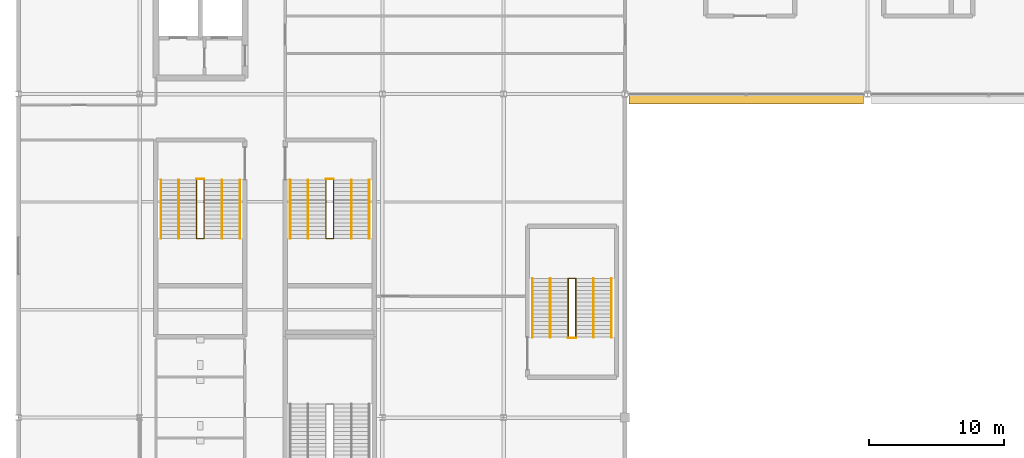
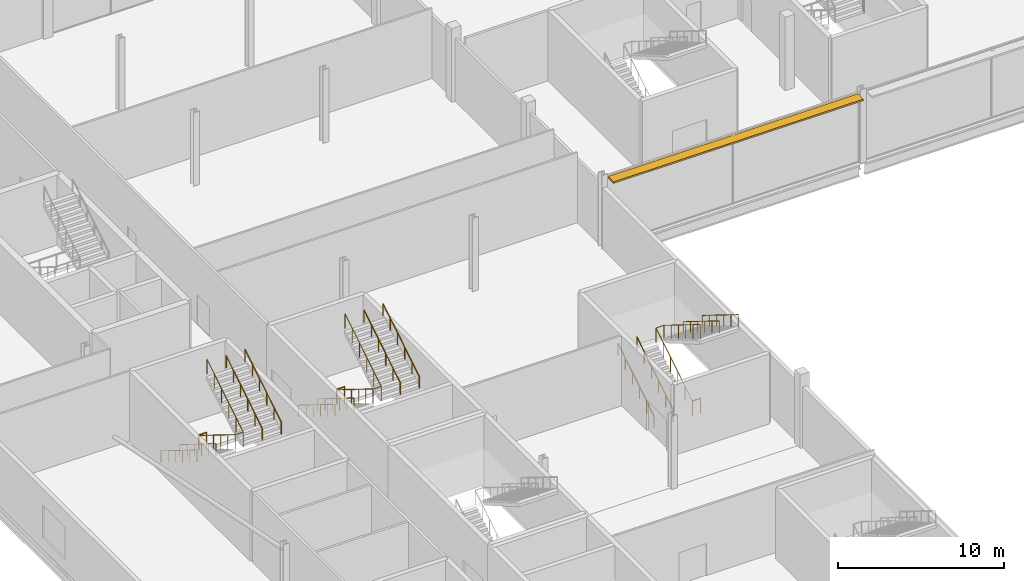
# One storey, part 101 of 111: 18 railings, 1 shading device.
"""IFC4 building model written with IfcOpenShell, lengths in metres."""

from ifc_helpers import new_model, si_unit, direction, frame, origin, origin_2d, place, context, subcontext, project, spatial, rectangle, circle, extrude, material, type_object, element, save


model = new_model("IFC4")

# Units and contexts
model_context = context("Model", 3, precision=1e-05, world=origin(), true_north=direction((0.0, 1.0)))
body_context = subcontext(model_context, "Body", "Model", "MODEL_VIEW")
ifc_project = project(units=[si_unit("LENGTHUNIT", "METRE"), si_unit("AREAUNIT", "SQUARE_METRE"), si_unit("VOLUMEUNIT", "CUBIC_METRE"), si_unit("PLANEANGLEUNIT", "RADIAN"), si_unit("MASSUNIT", "GRAM", prefix="KILO")], contexts=[model_context])

# Site, building, storey
site_placement = place(None, origin())
site = spatial("IfcSite", under=ifc_project, at=site_placement, CompositionType="ELEMENT")
building_placement = place(site_placement, origin())
building = spatial("IfcBuilding", under=site, at=building_placement, Name="Kisiwana Market Hall", CompositionType="ELEMENT")
storey_placement = place(building_placement, frame((0.0, 0.0, 11.39990234375)))
storey = spatial("IfcBuildingStorey", under=building, at=storey_placement, Name="L02", CompositionType="ELEMENT", Elevation=11.39990234375)

# Railings
ifc_material_1 = material(Name="Steel S275", Category="steel")
railing_type_1 = type_object("IfcRailingType", Name="RL-GUARD-1100", PredefinedType="GUARDRAIL", material=ifc_material_1)
railing_1_placement = place(storey_placement, frame((13.219970703125, 77.639892578125, 0.0)))
element("IfcRailing", 1, at=railing_1_placement, inside=storey, type_object=railing_type_1, Name="Stair ST-W4-L02 inner-well guardrail (RL-513)", PredefinedType="GUARDRAIL", context=body_context, shape_type="SweptSolid", body=[
    extrude(circle(Radius=0.02392578125, at=origin_2d()), frame((0.0, 0.0, 1.076171875), z_axis=(0.0, -0.849615114927, 0.52740322002), x_axis=(1.0, 0.0, 0.0)), (0.0, 0.0, 1.0), 5.119873046875),
    extrude(circle(Radius=0.02392578125, at=origin_2d()), frame((0.0, -4.349853515625, 3.7763671875), z_axis=(1.0, 0.0, 0.0), x_axis=(0.0, 1.0, 0.0)), (0.0, 0.0, 1.0), 0.56005859375),
    extrude(circle(Radius=0.02392578125, at=origin_2d()), frame((0.56005859375, -4.349853515625, 3.7763671875), z_axis=(0.0, 0.849636482215, 0.527368797038), x_axis=(-1.0, 0.0, 0.0)), (0.0, 0.0, 1.0), 5.11962890625),
    extrude(circle(Radius=0.02099609375, at=origin_2d()), origin(), (0.0, 0.0, 1.0), 1.052001953125),
    extrude(circle(Radius=0.02099609375, at=origin_2d()), frame((0.0, -0.869873046875, 0.5400390625)), (0.0, 0.0, 1.0), 1.052001953125),
    extrude(circle(Radius=0.02099609375, at=origin_2d()), frame((0.0, -1.739990234375, 1.080078125)), (0.0, 0.0, 1.0), 1.052001953125),
    extrude(circle(Radius=0.02099609375, at=origin_2d()), frame((0.0, -2.60986328125, 1.6201171875)), (0.0, 0.0, 1.0), 1.052001953125),
    extrude(circle(Radius=0.02099609375, at=origin_2d()), frame((0.0, -3.47998046875, 2.16015625)), (0.0, 0.0, 1.0), 1.052001953125),
    extrude(circle(Radius=0.02099609375, at=origin_2d()), frame((0.0, -4.349853515625, 2.7001953125)), (0.0, 0.0, 1.0), 1.052001953125),
    extrude(circle(Radius=0.02099609375, at=origin_2d()), frame((0.56005859375, -4.349853515625, 2.7001953125)), (0.0, 0.0, 1.0), 1.052001953125),
    extrude(circle(Radius=0.02099609375, at=origin_2d()), frame((0.56005859375, -3.47998046875, 3.240234375)), (0.0, 0.0, 1.0), 1.052001953125),
    extrude(circle(Radius=0.02099609375, at=origin_2d()), frame((0.56005859375, -2.60986328125, 3.7802734375)), (0.0, 0.0, 1.0), 1.052001953125),
    extrude(circle(Radius=0.02099609375, at=origin_2d()), frame((0.56005859375, -1.739990234375, 4.320068359375)), (0.0, 0.0, 1.0), 1.052001953125),
    extrude(circle(Radius=0.02099609375, at=origin_2d()), frame((0.56005859375, -0.869873046875, 4.860107421875)), (0.0, 0.0, 1.0), 1.052001953125),
    extrude(circle(Radius=0.02099609375, at=origin_2d()), frame((0.56005859375, 0.0, 5.400146484375)), (0.0, 0.0, 1.0), 1.052001953125),
])
railing_2_placement = place(storey_placement, frame((13.219970703125, 77.68994140625, 0.0)))
element("IfcRailing", 2, at=railing_2_placement, inside=storey, type_object=railing_type_1, Name="Stair ST-W4-L02 landing edge guardrail (RL-518)", PredefinedType="GUARDRAIL", context=body_context, shape_type="SweptSolid", body=[
    extrude(circle(Radius=0.02392578125, at=origin_2d()), frame((0.0, 0.0, 1.076171875), z_axis=(1.0, 0.0, 0.0), x_axis=(0.0, 1.0, 0.0)), (0.0, 0.0, 1.0), 0.56005859375),
    extrude(circle(Radius=0.02099609375, at=origin_2d()), origin(), (0.0, 0.0, 1.0), 1.052001953125),
    extrude(circle(Radius=0.02099609375, at=origin_2d()), frame((0.56005859375, 0.0, 0.0)), (0.0, 0.0, 1.0), 1.052001953125),
])
railing_3_placement = place(storey_placement, frame((22.820068359375, 77.639892578125, 0.0)))
element("IfcRailing", 3, at=railing_3_placement, inside=storey, type_object=railing_type_1, Name="Stair ST-W8-L02 inner-well guardrail (RL-543)", PredefinedType="GUARDRAIL", context=body_context, shape_type="SweptSolid", body=[
    extrude(circle(Radius=0.02392578125, at=origin_2d()), frame((0.0, 0.0, 1.076171875), z_axis=(0.0, -0.849615114927, 0.52740322002), x_axis=(1.0, 0.0, 0.0)), (0.0, 0.0, 1.0), 5.119873046875),
    extrude(circle(Radius=0.02392578125, at=origin_2d()), frame((0.0, -4.349853515625, 3.7763671875), z_axis=(1.0, 0.0, 0.0), x_axis=(0.0, 1.0, 0.0)), (0.0, 0.0, 1.0), 0.559814453125),
    extrude(circle(Radius=0.02392578125, at=origin_2d()), frame((0.559814453125, -4.349853515625, 3.7763671875), z_axis=(0.0, 0.849636482215, 0.527368797038), x_axis=(-1.0, 0.0, 0.0)), (0.0, 0.0, 1.0), 5.11962890625),
    extrude(circle(Radius=0.02099609375, at=origin_2d()), origin(), (0.0, 0.0, 1.0), 1.052001953125),
    extrude(circle(Radius=0.02099609375, at=origin_2d()), frame((0.0, -0.869873046875, 0.5400390625)), (0.0, 0.0, 1.0), 1.052001953125),
    extrude(circle(Radius=0.02099609375, at=origin_2d()), frame((0.0, -1.739990234375, 1.080078125)), (0.0, 0.0, 1.0), 1.052001953125),
    extrude(circle(Radius=0.02099609375, at=origin_2d()), frame((0.0, -2.60986328125, 1.6201171875)), (0.0, 0.0, 1.0), 1.052001953125),
    extrude(circle(Radius=0.02099609375, at=origin_2d()), frame((0.0, -3.47998046875, 2.16015625)), (0.0, 0.0, 1.0), 1.052001953125),
    extrude(circle(Radius=0.02099609375, at=origin_2d()), frame((0.0, -4.349853515625, 2.7001953125)), (0.0, 0.0, 1.0), 1.052001953125),
    extrude(circle(Radius=0.02099609375, at=origin_2d()), frame((0.559814453125, -4.349853515625, 2.7001953125)), (0.0, 0.0, 1.0), 1.052001953125),
    extrude(circle(Radius=0.02099609375, at=origin_2d()), frame((0.559814453125, -3.47998046875, 3.240234375)), (0.0, 0.0, 1.0), 1.052001953125),
    extrude(circle(Radius=0.02099609375, at=origin_2d()), frame((0.559814453125, -2.60986328125, 3.7802734375)), (0.0, 0.0, 1.0), 1.052001953125),
    extrude(circle(Radius=0.02099609375, at=origin_2d()), frame((0.559814453125, -1.739990234375, 4.320068359375)), (0.0, 0.0, 1.0), 1.052001953125),
    extrude(circle(Radius=0.02099609375, at=origin_2d()), frame((0.559814453125, -0.869873046875, 4.860107421875)), (0.0, 0.0, 1.0), 1.052001953125),
    extrude(circle(Radius=0.02099609375, at=origin_2d()), frame((0.559814453125, 0.0, 5.400146484375)), (0.0, 0.0, 1.0), 1.052001953125),
])
railing_4_placement = place(storey_placement, frame((22.820068359375, 77.68994140625, 0.0)))
element("IfcRailing", 4, at=railing_4_placement, inside=storey, type_object=railing_type_1, Name="Stair ST-W8-L02 landing edge guardrail (RL-548)", PredefinedType="GUARDRAIL", context=body_context, shape_type="SweptSolid", body=[
    extrude(circle(Radius=0.02392578125, at=origin_2d()), frame((0.0, 0.0, 1.076171875), z_axis=(1.0, 0.0, 0.0), x_axis=(0.0, 1.0, 0.0)), (0.0, 0.0, 1.0), 0.559814453125),
    extrude(circle(Radius=0.02099609375, at=origin_2d()), origin(), (0.0, 0.0, 1.0), 1.052001953125),
    extrude(circle(Radius=0.02099609375, at=origin_2d()), frame((0.559814453125, 0.0, 0.0)), (0.0, 0.0, 1.0), 1.052001953125),
])
railing_5_placement = place(storey_placement, frame((40.7900390625, 65.9599609375, 0.0)))
element("IfcRailing", 5, at=railing_5_placement, inside=storey, type_object=railing_type_1, Name="Stair ST-W10-L02 inner-well guardrail (RL-567)", PredefinedType="GUARDRAIL", context=body_context, shape_type="SweptSolid", body=[
    extrude(circle(Radius=0.02392578125, at=origin_2d()), frame((0.0, 0.0, 1.076171875), z_axis=(0.0, 0.849628378081, 0.527381853271), x_axis=(-1.0, 0.0, 0.0)), (0.0, 0.0, 1.0), 5.1201171875),
    extrude(circle(Radius=0.02392578125, at=origin_2d()), frame((0.0, 4.35009765625, 3.7763671875), z_axis=(1.0, 0.0, 0.0), x_axis=(0.0, 1.0, 0.0)), (0.0, 0.0, 1.0), 0.56005859375),
    extrude(circle(Radius=0.02392578125, at=origin_2d()), frame((0.56005859375, 4.35009765625, 3.7763671875), z_axis=(0.0, -0.849649743971, 0.527347430608), x_axis=(1.0, 0.0, 0.0)), (0.0, 0.0, 1.0), 5.119873046875),
    extrude(circle(Radius=0.02099609375, at=origin_2d()), origin(), (0.0, 0.0, 1.0), 1.052001953125),
    extrude(circle(Radius=0.02099609375, at=origin_2d()), frame((0.0, 0.8701171875, 0.5400390625)), (0.0, 0.0, 1.0), 1.052001953125),
    extrude(circle(Radius=0.02099609375, at=origin_2d()), frame((0.0, 1.739990234375, 1.080078125)), (0.0, 0.0, 1.0), 1.052001953125),
    extrude(circle(Radius=0.02099609375, at=origin_2d()), frame((0.0, 2.610107421875, 1.6201171875)), (0.0, 0.0, 1.0), 1.052001953125),
    extrude(circle(Radius=0.02099609375, at=origin_2d()), frame((0.0, 3.47998046875, 2.16015625)), (0.0, 0.0, 1.0), 1.052001953125),
    extrude(circle(Radius=0.02099609375, at=origin_2d()), frame((0.0, 4.35009765625, 2.7001953125)), (0.0, 0.0, 1.0), 1.052001953125),
    extrude(circle(Radius=0.02099609375, at=origin_2d()), frame((0.56005859375, 4.35009765625, 2.7001953125)), (0.0, 0.0, 1.0), 1.052001953125),
    extrude(circle(Radius=0.02099609375, at=origin_2d()), frame((0.56005859375, 3.47998046875, 3.240234375)), (0.0, 0.0, 1.0), 1.052001953125),
    extrude(circle(Radius=0.02099609375, at=origin_2d()), frame((0.56005859375, 2.610107421875, 3.7802734375)), (0.0, 0.0, 1.0), 1.052001953125),
    extrude(circle(Radius=0.02099609375, at=origin_2d()), frame((0.56005859375, 1.739990234375, 4.320068359375)), (0.0, 0.0, 1.0), 1.052001953125),
    extrude(circle(Radius=0.02099609375, at=origin_2d()), frame((0.56005859375, 0.8701171875, 4.860107421875)), (0.0, 0.0, 1.0), 1.052001953125),
    extrude(circle(Radius=0.02099609375, at=origin_2d()), frame((0.56005859375, 0.0, 5.400146484375)), (0.0, 0.0, 1.0), 1.052001953125),
])
railing_6_placement = place(storey_placement, frame((40.7900390625, 65.909912109375, 0.0)))
element("IfcRailing", 6, at=railing_6_placement, inside=storey, type_object=railing_type_1, Name="Stair ST-W10-L02 landing edge guardrail (RL-572)", PredefinedType="GUARDRAIL", context=body_context, shape_type="SweptSolid", body=[
    extrude(circle(Radius=0.02392578125, at=origin_2d()), frame((0.0, 0.0, 1.076171875), z_axis=(1.0, 0.0, 0.0), x_axis=(0.0, 1.0, 0.0)), (0.0, 0.0, 1.0), 0.56005859375),
    extrude(circle(Radius=0.02099609375, at=origin_2d()), origin(), (0.0, 0.0, 1.0), 1.052001953125),
    extrude(circle(Radius=0.02099609375, at=origin_2d()), frame((0.56005859375, 0.0, 0.0)), (0.0, 0.0, 1.0), 1.052001953125),
])
ifc_material_2 = material(Name="Steel S275", Category="steel")
railing_type_2 = type_object("IfcRailingType", Name="RL-HAND-900", PredefinedType="HANDRAIL", material=ifc_material_2)
railing_7_placement = place(storey_placement, frame((10.570068359375, 77.639892578125, 0.0)))
element("IfcRailing", 7, at=railing_7_placement, inside=storey, type_object=railing_type_2, Name="Stair ST-W4-L02 flight 1 handrail (RL-514)", PredefinedType="HANDRAIL", context=body_context, shape_type="SweptSolid", body=[
    extrude(circle(Radius=0.02392578125, at=origin_2d()), frame((0.0, 0.0, 0.8759765625), z_axis=(0.0, -0.849615114927, 0.52740322002), x_axis=(1.0, 0.0, 0.0)), (0.0, 0.0, 1.0), 5.119873046875),
    extrude(circle(Radius=0.02099609375, at=origin_2d()), origin(), (0.0, 0.0, 1.0), 0.851806640625),
    extrude(circle(Radius=0.02099609375, at=origin_2d()), frame((0.0, -0.869873046875, 0.5400390625)), (0.0, 0.0, 1.0), 0.851806640625),
    extrude(circle(Radius=0.02099609375, at=origin_2d()), frame((0.0, -1.739990234375, 1.080078125)), (0.0, 0.0, 1.0), 0.851806640625),
    extrude(circle(Radius=0.02099609375, at=origin_2d()), frame((0.0, -2.60986328125, 1.6201171875)), (0.0, 0.0, 1.0), 0.851806640625),
    extrude(circle(Radius=0.02099609375, at=origin_2d()), frame((0.0, -3.47998046875, 2.16015625)), (0.0, 0.0, 1.0), 0.851806640625),
    extrude(circle(Radius=0.02099609375, at=origin_2d()), frame((0.0, -4.349853515625, 2.7001953125)), (0.0, 0.0, 1.0), 0.851806640625),
])
railing_8_placement = place(storey_placement, frame((16.429931640625, 73.2900390625, 2.7001953125)))
element("IfcRailing", 8, at=railing_8_placement, inside=storey, type_object=railing_type_2, Name="Stair ST-W4-L02 flight 2 handrail (RL-515)", PredefinedType="HANDRAIL", context=body_context, shape_type="SweptSolid", body=[
    extrude(circle(Radius=0.02392578125, at=origin_2d()), frame((0.0, 0.0, 0.8759765625), z_axis=(0.0, 0.849636482215, 0.527368797038), x_axis=(-1.0, 0.0, 0.0)), (0.0, 0.0, 1.0), 5.11962890625),
    extrude(circle(Radius=0.02099609375, at=origin_2d()), origin(), (0.0, 0.0, 1.0), 0.851806640625),
    extrude(circle(Radius=0.02099609375, at=origin_2d()), frame((0.0, 0.869873046875, 0.5400390625)), (0.0, 0.0, 1.0), 0.851806640625),
    extrude(circle(Radius=0.02099609375, at=origin_2d()), frame((0.0, 1.739990234375, 1.080078125)), (0.0, 0.0, 1.0), 0.851806640625),
    extrude(circle(Radius=0.02099609375, at=origin_2d()), frame((0.0, 2.60986328125, 1.619873046875)), (0.0, 0.0, 1.0), 0.851806640625),
    extrude(circle(Radius=0.02099609375, at=origin_2d()), frame((0.0, 3.47998046875, 2.159912109375)), (0.0, 0.0, 1.0), 0.851806640625),
    extrude(circle(Radius=0.02099609375, at=origin_2d()), frame((0.0, 4.349853515625, 2.699951171875)), (0.0, 0.0, 1.0), 0.851806640625),
])
railing_9_placement = place(storey_placement, frame((11.889892578125, 77.639892578125, 0.0)))
element("IfcRailing", 9, at=railing_9_placement, inside=storey, type_object=railing_type_2, Name="Stair ST-W4-L02 flight 1 intermediate handrail (RL-516)", PredefinedType="HANDRAIL", context=body_context, shape_type="SweptSolid", body=[
    extrude(circle(Radius=0.02392578125, at=origin_2d()), frame((0.0, 0.0, 0.8759765625), z_axis=(0.0, -0.849615114927, 0.52740322002), x_axis=(1.0, 0.0, 0.0)), (0.0, 0.0, 1.0), 5.119873046875),
    extrude(circle(Radius=0.02099609375, at=origin_2d()), origin(), (0.0, 0.0, 1.0), 0.851806640625),
    extrude(circle(Radius=0.02099609375, at=origin_2d()), frame((0.0, -0.869873046875, 0.5400390625)), (0.0, 0.0, 1.0), 0.851806640625),
    extrude(circle(Radius=0.02099609375, at=origin_2d()), frame((0.0, -1.739990234375, 1.080078125)), (0.0, 0.0, 1.0), 0.851806640625),
    extrude(circle(Radius=0.02099609375, at=origin_2d()), frame((0.0, -2.60986328125, 1.6201171875)), (0.0, 0.0, 1.0), 0.851806640625),
    extrude(circle(Radius=0.02099609375, at=origin_2d()), frame((0.0, -3.47998046875, 2.16015625)), (0.0, 0.0, 1.0), 0.851806640625),
    extrude(circle(Radius=0.02099609375, at=origin_2d()), frame((0.0, -4.349853515625, 2.7001953125)), (0.0, 0.0, 1.0), 0.851806640625),
])
railing_10_placement = place(storey_placement, frame((15.110107421875, 73.2900390625, 2.7001953125)))
element("IfcRailing", 10, at=railing_10_placement, inside=storey, type_object=railing_type_2, Name="Stair ST-W4-L02 flight 2 intermediate handrail (RL-517)", PredefinedType="HANDRAIL", context=body_context, shape_type="SweptSolid", body=[
    extrude(circle(Radius=0.02392578125, at=origin_2d()), frame((0.0, 0.0, 0.8759765625), z_axis=(0.0, 0.849636482215, 0.527368797038), x_axis=(-1.0, 0.0, 0.0)), (0.0, 0.0, 1.0), 5.11962890625),
    extrude(circle(Radius=0.02099609375, at=origin_2d()), origin(), (0.0, 0.0, 1.0), 0.851806640625),
    extrude(circle(Radius=0.02099609375, at=origin_2d()), frame((0.0, 0.869873046875, 0.5400390625)), (0.0, 0.0, 1.0), 0.851806640625),
    extrude(circle(Radius=0.02099609375, at=origin_2d()), frame((0.0, 1.739990234375, 1.080078125)), (0.0, 0.0, 1.0), 0.851806640625),
    extrude(circle(Radius=0.02099609375, at=origin_2d()), frame((0.0, 2.60986328125, 1.619873046875)), (0.0, 0.0, 1.0), 0.851806640625),
    extrude(circle(Radius=0.02099609375, at=origin_2d()), frame((0.0, 3.47998046875, 2.159912109375)), (0.0, 0.0, 1.0), 0.851806640625),
    extrude(circle(Radius=0.02099609375, at=origin_2d()), frame((0.0, 4.349853515625, 2.699951171875)), (0.0, 0.0, 1.0), 0.851806640625),
])
railing_11_placement = place(storey_placement, frame((20.169921875, 77.639892578125, 0.0)))
element("IfcRailing", 11, at=railing_11_placement, inside=storey, type_object=railing_type_2, Name="Stair ST-W8-L02 flight 1 handrail (RL-544)", PredefinedType="HANDRAIL", context=body_context, shape_type="SweptSolid", body=[
    extrude(circle(Radius=0.02392578125, at=origin_2d()), frame((0.0, 0.0, 0.8759765625), z_axis=(0.0, -0.849615114927, 0.52740322002), x_axis=(1.0, 0.0, 0.0)), (0.0, 0.0, 1.0), 5.119873046875),
    extrude(circle(Radius=0.02099609375, at=origin_2d()), origin(), (0.0, 0.0, 1.0), 0.851806640625),
    extrude(circle(Radius=0.02099609375, at=origin_2d()), frame((0.0, -0.869873046875, 0.5400390625)), (0.0, 0.0, 1.0), 0.851806640625),
    extrude(circle(Radius=0.02099609375, at=origin_2d()), frame((0.0, -1.739990234375, 1.080078125)), (0.0, 0.0, 1.0), 0.851806640625),
    extrude(circle(Radius=0.02099609375, at=origin_2d()), frame((0.0, -2.60986328125, 1.6201171875)), (0.0, 0.0, 1.0), 0.851806640625),
    extrude(circle(Radius=0.02099609375, at=origin_2d()), frame((0.0, -3.47998046875, 2.16015625)), (0.0, 0.0, 1.0), 0.851806640625),
    extrude(circle(Radius=0.02099609375, at=origin_2d()), frame((0.0, -4.349853515625, 2.7001953125)), (0.0, 0.0, 1.0), 0.851806640625),
])
railing_12_placement = place(storey_placement, frame((26.030029296875, 73.2900390625, 2.7001953125)))
element("IfcRailing", 12, at=railing_12_placement, inside=storey, type_object=railing_type_2, Name="Stair ST-W8-L02 flight 2 handrail (RL-545)", PredefinedType="HANDRAIL", context=body_context, shape_type="SweptSolid", body=[
    extrude(circle(Radius=0.02392578125, at=origin_2d()), frame((0.0, 0.0, 0.8759765625), z_axis=(0.0, 0.849636482215, 0.527368797038), x_axis=(-1.0, 0.0, 0.0)), (0.0, 0.0, 1.0), 5.11962890625),
    extrude(circle(Radius=0.02099609375, at=origin_2d()), origin(), (0.0, 0.0, 1.0), 0.851806640625),
    extrude(circle(Radius=0.02099609375, at=origin_2d()), frame((0.0, 0.869873046875, 0.5400390625)), (0.0, 0.0, 1.0), 0.851806640625),
    extrude(circle(Radius=0.02099609375, at=origin_2d()), frame((0.0, 1.739990234375, 1.080078125)), (0.0, 0.0, 1.0), 0.851806640625),
    extrude(circle(Radius=0.02099609375, at=origin_2d()), frame((0.0, 2.60986328125, 1.619873046875)), (0.0, 0.0, 1.0), 0.851806640625),
    extrude(circle(Radius=0.02099609375, at=origin_2d()), frame((0.0, 3.47998046875, 2.159912109375)), (0.0, 0.0, 1.0), 0.851806640625),
    extrude(circle(Radius=0.02099609375, at=origin_2d()), frame((0.0, 4.349853515625, 2.699951171875)), (0.0, 0.0, 1.0), 0.851806640625),
])
railing_13_placement = place(storey_placement, frame((21.489990234375, 77.639892578125, 0.0)))
element("IfcRailing", 13, at=railing_13_placement, inside=storey, type_object=railing_type_2, Name="Stair ST-W8-L02 flight 1 intermediate handrail (RL-546)", PredefinedType="HANDRAIL", context=body_context, shape_type="SweptSolid", body=[
    extrude(circle(Radius=0.02392578125, at=origin_2d()), frame((0.0, 0.0, 0.8759765625), z_axis=(0.0, -0.849615114927, 0.52740322002), x_axis=(1.0, 0.0, 0.0)), (0.0, 0.0, 1.0), 5.119873046875),
    extrude(circle(Radius=0.02099609375, at=origin_2d()), origin(), (0.0, 0.0, 1.0), 0.851806640625),
    extrude(circle(Radius=0.02099609375, at=origin_2d()), frame((0.0, -0.869873046875, 0.5400390625)), (0.0, 0.0, 1.0), 0.851806640625),
    extrude(circle(Radius=0.02099609375, at=origin_2d()), frame((0.0, -1.739990234375, 1.080078125)), (0.0, 0.0, 1.0), 0.851806640625),
    extrude(circle(Radius=0.02099609375, at=origin_2d()), frame((0.0, -2.60986328125, 1.6201171875)), (0.0, 0.0, 1.0), 0.851806640625),
    extrude(circle(Radius=0.02099609375, at=origin_2d()), frame((0.0, -3.47998046875, 2.16015625)), (0.0, 0.0, 1.0), 0.851806640625),
    extrude(circle(Radius=0.02099609375, at=origin_2d()), frame((0.0, -4.349853515625, 2.7001953125)), (0.0, 0.0, 1.0), 0.851806640625),
])
railing_14_placement = place(storey_placement, frame((24.7099609375, 73.2900390625, 2.7001953125)))
element("IfcRailing", 14, at=railing_14_placement, inside=storey, type_object=railing_type_2, Name="Stair ST-W8-L02 flight 2 intermediate handrail (RL-547)", PredefinedType="HANDRAIL", context=body_context, shape_type="SweptSolid", body=[
    extrude(circle(Radius=0.02392578125, at=origin_2d()), frame((0.0, 0.0, 0.8759765625), z_axis=(0.0, 0.849636482215, 0.527368797038), x_axis=(-1.0, 0.0, 0.0)), (0.0, 0.0, 1.0), 5.11962890625),
    extrude(circle(Radius=0.02099609375, at=origin_2d()), origin(), (0.0, 0.0, 1.0), 0.851806640625),
    extrude(circle(Radius=0.02099609375, at=origin_2d()), frame((0.0, 0.869873046875, 0.5400390625)), (0.0, 0.0, 1.0), 0.851806640625),
    extrude(circle(Radius=0.02099609375, at=origin_2d()), frame((0.0, 1.739990234375, 1.080078125)), (0.0, 0.0, 1.0), 0.851806640625),
    extrude(circle(Radius=0.02099609375, at=origin_2d()), frame((0.0, 2.60986328125, 1.619873046875)), (0.0, 0.0, 1.0), 0.851806640625),
    extrude(circle(Radius=0.02099609375, at=origin_2d()), frame((0.0, 3.47998046875, 2.159912109375)), (0.0, 0.0, 1.0), 0.851806640625),
    extrude(circle(Radius=0.02099609375, at=origin_2d()), frame((0.0, 4.349853515625, 2.699951171875)), (0.0, 0.0, 1.0), 0.851806640625),
])
railing_15_placement = place(storey_placement, frame((38.139892578125, 65.9599609375, 0.0)))
element("IfcRailing", 15, at=railing_15_placement, inside=storey, type_object=railing_type_2, Name="Stair ST-W10-L02 flight 1 handrail (RL-568)", PredefinedType="HANDRAIL", context=body_context, shape_type="SweptSolid", body=[
    extrude(circle(Radius=0.02392578125, at=origin_2d()), frame((0.0, 0.0, 0.8759765625), z_axis=(0.0, 0.849628378081, 0.527381853271), x_axis=(-1.0, 0.0, 0.0)), (0.0, 0.0, 1.0), 5.1201171875),
    extrude(circle(Radius=0.02099609375, at=origin_2d()), origin(), (0.0, 0.0, 1.0), 0.851806640625),
    extrude(circle(Radius=0.02099609375, at=origin_2d()), frame((0.0, 0.8701171875, 0.5400390625)), (0.0, 0.0, 1.0), 0.851806640625),
    extrude(circle(Radius=0.02099609375, at=origin_2d()), frame((0.0, 1.739990234375, 1.080078125)), (0.0, 0.0, 1.0), 0.851806640625),
    extrude(circle(Radius=0.02099609375, at=origin_2d()), frame((0.0, 2.610107421875, 1.6201171875)), (0.0, 0.0, 1.0), 0.851806640625),
    extrude(circle(Radius=0.02099609375, at=origin_2d()), frame((0.0, 3.47998046875, 2.16015625)), (0.0, 0.0, 1.0), 0.851806640625),
    extrude(circle(Radius=0.02099609375, at=origin_2d()), frame((0.0, 4.35009765625, 2.7001953125)), (0.0, 0.0, 1.0), 0.851806640625),
])
railing_16_placement = place(storey_placement, frame((44.0, 70.31005859375, 2.7001953125)))
element("IfcRailing", 16, at=railing_16_placement, inside=storey, type_object=railing_type_2, Name="Stair ST-W10-L02 flight 2 handrail (RL-569)", PredefinedType="HANDRAIL", context=body_context, shape_type="SweptSolid", body=[
    extrude(circle(Radius=0.02392578125, at=origin_2d()), frame((0.0, 0.0, 0.8759765625), z_axis=(0.0, -0.849649743971, 0.527347430608), x_axis=(1.0, 0.0, 0.0)), (0.0, 0.0, 1.0), 5.119873046875),
    extrude(circle(Radius=0.02099609375, at=origin_2d()), origin(), (0.0, 0.0, 1.0), 0.851806640625),
    extrude(circle(Radius=0.02099609375, at=origin_2d()), frame((0.0, -0.8701171875, 0.5400390625)), (0.0, 0.0, 1.0), 0.851806640625),
    extrude(circle(Radius=0.02099609375, at=origin_2d()), frame((0.0, -1.739990234375, 1.080078125)), (0.0, 0.0, 1.0), 0.851806640625),
    extrude(circle(Radius=0.02099609375, at=origin_2d()), frame((0.0, -2.610107421875, 1.619873046875)), (0.0, 0.0, 1.0), 0.851806640625),
    extrude(circle(Radius=0.02099609375, at=origin_2d()), frame((0.0, -3.47998046875, 2.159912109375)), (0.0, 0.0, 1.0), 0.851806640625),
    extrude(circle(Radius=0.02099609375, at=origin_2d()), frame((0.0, -4.35009765625, 2.699951171875)), (0.0, 0.0, 1.0), 0.851806640625),
])
railing_17_placement = place(storey_placement, frame((39.4599609375, 65.9599609375, 0.0)))
element("IfcRailing", 17, at=railing_17_placement, inside=storey, type_object=railing_type_2, Name="Stair ST-W10-L02 flight 1 intermediate handrail (RL-570)", PredefinedType="HANDRAIL", context=body_context, shape_type="SweptSolid", body=[
    extrude(circle(Radius=0.02392578125, at=origin_2d()), frame((0.0, 0.0, 0.8759765625), z_axis=(0.0, 0.849628378081, 0.527381853271), x_axis=(-1.0, 0.0, 0.0)), (0.0, 0.0, 1.0), 5.1201171875),
    extrude(circle(Radius=0.02099609375, at=origin_2d()), origin(), (0.0, 0.0, 1.0), 0.851806640625),
    extrude(circle(Radius=0.02099609375, at=origin_2d()), frame((0.0, 0.8701171875, 0.5400390625)), (0.0, 0.0, 1.0), 0.851806640625),
    extrude(circle(Radius=0.02099609375, at=origin_2d()), frame((0.0, 1.739990234375, 1.080078125)), (0.0, 0.0, 1.0), 0.851806640625),
    extrude(circle(Radius=0.02099609375, at=origin_2d()), frame((0.0, 2.610107421875, 1.6201171875)), (0.0, 0.0, 1.0), 0.851806640625),
    extrude(circle(Radius=0.02099609375, at=origin_2d()), frame((0.0, 3.47998046875, 2.16015625)), (0.0, 0.0, 1.0), 0.851806640625),
    extrude(circle(Radius=0.02099609375, at=origin_2d()), frame((0.0, 4.35009765625, 2.7001953125)), (0.0, 0.0, 1.0), 0.851806640625),
])
railing_18_placement = place(storey_placement, frame((42.679931640625, 70.31005859375, 2.7001953125)))
element("IfcRailing", 18, at=railing_18_placement, inside=storey, type_object=railing_type_2, Name="Stair ST-W10-L02 flight 2 intermediate handrail (RL-571)", PredefinedType="HANDRAIL", context=body_context, shape_type="SweptSolid", body=[
    extrude(circle(Radius=0.02392578125, at=origin_2d()), frame((0.0, 0.0, 0.8759765625), z_axis=(0.0, -0.849649743971, 0.527347430608), x_axis=(1.0, 0.0, 0.0)), (0.0, 0.0, 1.0), 5.119873046875),
    extrude(circle(Radius=0.02099609375, at=origin_2d()), origin(), (0.0, 0.0, 1.0), 0.851806640625),
    extrude(circle(Radius=0.02099609375, at=origin_2d()), frame((0.0, -0.8701171875, 0.5400390625)), (0.0, 0.0, 1.0), 0.851806640625),
    extrude(circle(Radius=0.02099609375, at=origin_2d()), frame((0.0, -1.739990234375, 1.080078125)), (0.0, 0.0, 1.0), 0.851806640625),
    extrude(circle(Radius=0.02099609375, at=origin_2d()), frame((0.0, -2.610107421875, 1.619873046875)), (0.0, 0.0, 1.0), 0.851806640625),
    extrude(circle(Radius=0.02099609375, at=origin_2d()), frame((0.0, -3.47998046875, 2.159912109375)), (0.0, 0.0, 1.0), 0.851806640625),
    extrude(circle(Radius=0.02099609375, at=origin_2d()), frame((0.0, -4.35009765625, 2.699951171875)), (0.0, 0.0, 1.0), 0.851806640625),
])

# Shading device
ifc_material_3 = material(Name="Aluminium alloy 6063-T6", Category="aluminium")
shading_device_type = type_object("IfcShadingDeviceType", Name="SHD-JALOUSIE-H", PredefinedType="JALOUSIE", material=ifc_material_3)
shading_device_placement = place(storey_placement, frame((54.0, 83.580078125, 4.969970703125), z_axis=(0.0, 0.0, 1.0), x_axis=(1.0, 0.0, 0.0)))
element("IfcShadingDevice", 19, at=shading_device_placement, inside=storey, type_object=shading_device_type, Name="Aluminium brise-soleil louvre SHD-049 SD-049", PredefinedType="JALOUSIE", context=body_context, shape_type="SweptSolid", body=[
    extrude(rectangle(XDim=17.387939453125, YDim=0.64990234375, at=origin_2d()), origin(), (0.0, 0.0, 1.0), 0.1201171875),
])

save(model, "model.ifc")
